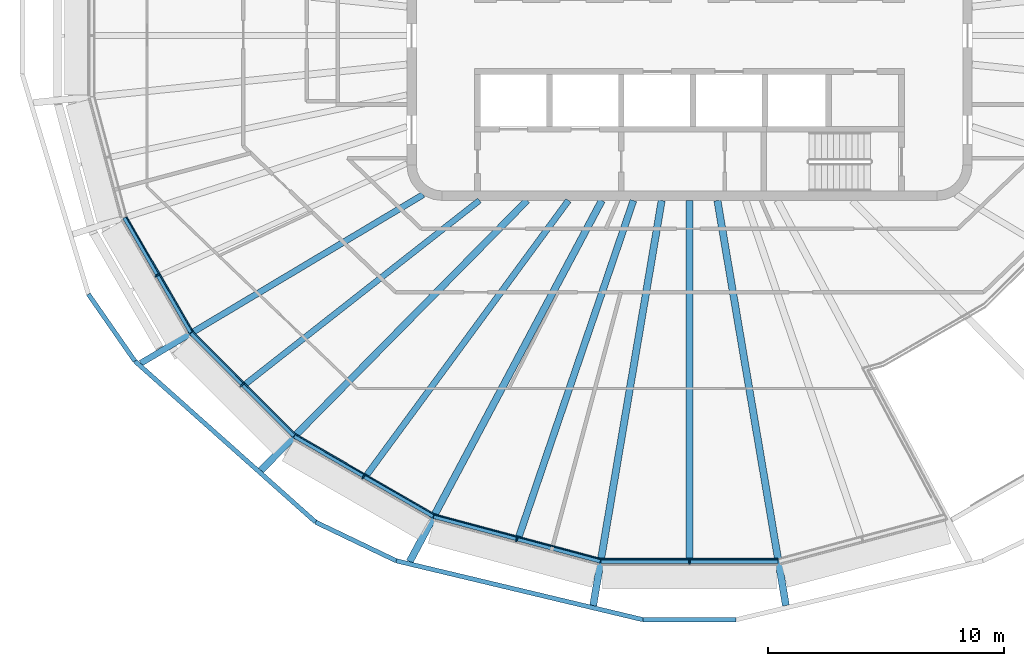
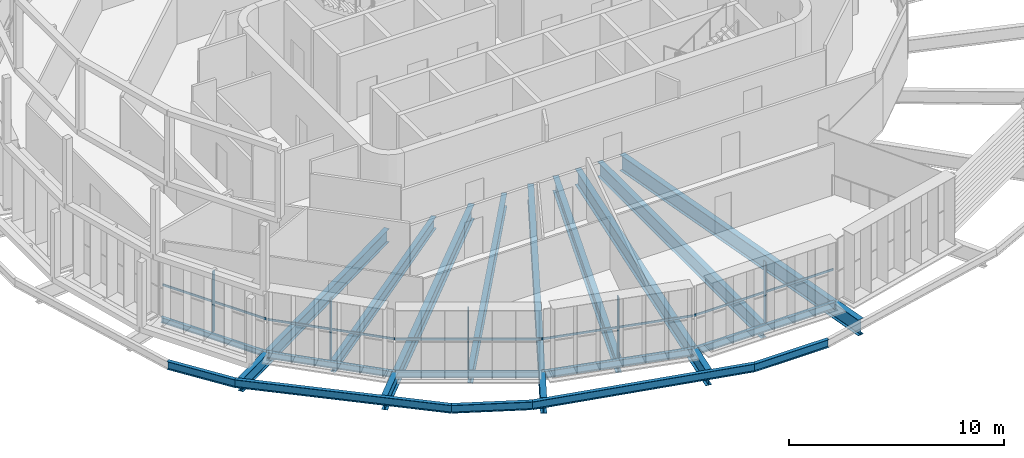
# One storey, part 1 of 18: 19 beams, 10 members, 5 elements without a shape of their own.
"""IFC4 building model written with IfcOpenShell, lengths in metres."""

import ifcopenshell
import ifcopenshell.guid

model = None  # the IFC model being written
_history = None  # IfcOwnerHistory: only IFC2X3 demands one
_inside = {}  # id of a spatial element -> (the spatial element, [elements in it])
_under = {}  # id of a project, library or spatial element -> (it, [spatial elements below it])
_declared = {}  # id of a project -> (the project, [libraries it declares])
_typed = {}  # id of a type object -> (the type object, [elements of that type])
_made_of = {}  # id of a material, layer set ... -> (it, [elements and type objects made of it])


def new_model(schema):
    """Start an empty IFC model of exactly this schema.

    Asked for "IFC4X3", IfcOpenShell would pick the latest addendum, in which some entities
    have other attributes; the version numbers below select the first issue.
    IFC2X3 requires an IfcOwnerHistory on every rooted entity: one is made here for all.
    """
    global model, _history
    if schema == "IFC4X3":
        model = ifcopenshell.file(schema_version=(4, 3, 0, 0))
    else:
        model = ifcopenshell.file(schema=schema)
    _inside.clear()
    _under.clear()
    _declared.clear()
    _typed.clear()
    _made_of.clear()
    _history = None
    if model.schema == "IFC2X3":
        org = make("IfcOrganization", Name="unknown")
        user = make(
            "IfcPersonAndOrganization",
            ThePerson=make("IfcPerson", FamilyName="unknown"),
            TheOrganization=org,
        )
        app = make(
            "IfcApplication",
            ApplicationDeveloper=org,
            Version="unknown",
            ApplicationFullName="unknown",
            ApplicationIdentifier="unknown",
        )
        _history = make(
            "IfcOwnerHistory",
            OwningUser=user,
            OwningApplication=app,
            ChangeAction="ADDED",
            CreationDate=0,
        )
    return model


def make(cls, **values):
    """One entity of the class cls with the attributes given. An attribute that is None is left unset."""
    return model.create_entity(
        cls, **{name: value for name, value in values.items() if value is not None}
    )


def rooted(cls, **values):
    """An entity with a GlobalId (a new one), such as an element, a storey or a relation."""
    return make(cls, GlobalId=ifcopenshell.guid.new(), OwnerHistory=_history, **values)


def si_unit(unit_type, name, prefix=None):
    """IfcSIUnit, for example si_unit("LENGTHUNIT", "METRE", prefix="MILLI")."""
    return make("IfcSIUnit", UnitType=unit_type, Prefix=prefix, Name=name)


def assignment(units):
    """IfcUnitAssignment: the units of a project."""
    return None if units is None else make("IfcUnitAssignment", Units=units)


def point(xyz):
    """IfcCartesianPoint."""
    return None if xyz is None else make("IfcCartesianPoint", Coordinates=xyz)


def direction(xyz):
    """IfcDirection."""
    return None if xyz is None else make("IfcDirection", DirectionRatios=xyz)


def frame(location, z_axis=None, x_axis=None):
    """IfcAxis2Placement3D, a coordinate frame: its origin and axes. An axis left out is left unset."""
    return make(
        "IfcAxis2Placement3D",
        Location=point(location),
        Axis=direction(z_axis),
        RefDirection=direction(x_axis),
    )


def frame_2d(location, x_axis=None):
    """IfcAxis2Placement2D, a coordinate frame in the plane: its origin and x axis."""
    return make(
        "IfcAxis2Placement2D", Location=point(location), RefDirection=direction(x_axis)
    )


def origin():
    """The frame at (0, 0, 0) with its axes left unset."""
    return frame((0.0, 0.0, 0.0))


def origin_2d():
    """The frame at (0, 0) in the plane with its x axis left unset."""
    return frame_2d((0.0, 0.0))


def place(relative_to, where):
    """IfcLocalPlacement: puts the frame where relative to a parent placement (None: the world)."""
    return make(
        "IfcLocalPlacement", PlacementRelTo=relative_to, RelativePlacement=where
    )


def context(
    kind, dimensions, precision=None, world=None, true_north=None, identifier=None
):
    """IfcGeometricRepresentationContext, for example the 3D "Model" context."""
    return make(
        "IfcGeometricRepresentationContext",
        ContextIdentifier=identifier,
        ContextType=kind,
        CoordinateSpaceDimension=dimensions,
        Precision=precision,
        WorldCoordinateSystem=world,
        TrueNorth=true_north,
    )


def subcontext(parent, identifier, kind, view, scale=None):
    """IfcGeometricRepresentationSubContext, for example "Body" below "Model"."""
    return make(
        "IfcGeometricRepresentationSubContext",
        ContextIdentifier=identifier,
        ContextType=kind,
        ParentContext=parent,
        TargetScale=scale,
        TargetView=view,
    )


def project(units=None, contexts=None):
    """IfcProject with its units and contexts."""
    return rooted(
        "IfcProject",
        Name="project",
        RepresentationContexts=contexts,
        UnitsInContext=assignment(units),
    )


def spatial(cls, under=None, at=None, **own):
    """A site, building, storey or space (cls), placed at a placement, below another one or the project."""
    s = rooted(cls, ObjectPlacement=at, **own)
    if under is not None:
        _under.setdefault(under.id(), (under, []))[1].append(s)
    return s


def profile(cls, at=None, kind="AREA", **sizes):
    """A parametric profile (cls). Its sizes go by their IFC names, for example OverallWidth=200.0."""
    return make(cls, ProfileType=kind, Position=at, **sizes)


def rectangle(**sizes):
    """IfcRectangleProfileDef."""
    return profile("IfcRectangleProfileDef", **sizes)


def i_section(**sizes):
    """IfcIShapeProfileDef."""
    return profile("IfcIShapeProfileDef", **sizes)


def extrude(swept, where, along, depth):
    """IfcExtrudedAreaSolid: the profile swept, set in the frame where, extruded along a direction by depth."""
    return make(
        "IfcExtrudedAreaSolid",
        SweptArea=swept,
        Position=where,
        ExtrudedDirection=direction(along),
        Depth=depth,
    )


def shape(context_of_items, identifier, shape_type, items):
    """IfcShapeRepresentation: the items that make up one representation, for example the "Body"."""
    return make(
        "IfcShapeRepresentation",
        ContextOfItems=context_of_items,
        RepresentationIdentifier=identifier,
        RepresentationType=shape_type,
        Items=items,
    )


def material(Name=None, Category=None):
    """IfcMaterial."""
    return make("IfcMaterial", Name=Name, Category=Category)


def layer(
    of_material, thickness, ventilated=None, Name=None, Category=None, Priority=None
):
    """IfcMaterialLayer: one layer of a wall or slab, of a material (None: an air gap)."""
    return make(
        "IfcMaterialLayer",
        Material=of_material,
        LayerThickness=thickness,
        IsVentilated=ventilated,
        Name=Name,
        Category=Category,
        Priority=Priority,
    )


def layer_set(layers, Name=None):
    """IfcMaterialLayerSet."""
    return make("IfcMaterialLayerSet", MaterialLayers=layers, LayerSetName=Name)


def material_profile(
    of_material, cross_section, Name=None, Category=None, Priority=None
):
    """IfcMaterialProfile: a cross section and its material."""
    return make(
        "IfcMaterialProfile",
        Name=Name,
        Material=of_material,
        Profile=cross_section,
        Priority=Priority,
        Category=Category,
    )


def profile_set(profiles, Name=None, composite=None):
    """IfcMaterialProfileSet."""
    return make(
        "IfcMaterialProfileSet",
        Name=Name,
        MaterialProfiles=profiles,
        CompositeProfile=composite,
    )


def made_of(thing, what):
    """Note that an element or type object is made of a material, layer set ...; save() writes the relation."""
    if what is not None:
        _made_of.setdefault(what.id(), (what, []))[1].append(thing)
    return thing


def type_object(cls, material=None, **own):
    """A type object (cls), such as IfcWallType, which elements share."""
    return made_of(rooted(cls, **own), material)


def element(
    cls,
    number,
    at=None,
    inside=None,
    cuts=None,
    type_object=None,
    material=None,
    context=None,
    identifier="Body",
    shape_type=None,
    held_by="IfcProductDefinitionShape",
    body=None,
    shapes=None,
    **own,
):
    """One element of the class cls, such as IfcWall. Its Tag is "e" and its number.

    at: its placement. inside: the storey or other place that contains it. cuts: it is an
    opening in that element (IfcRelVoidsElement). A single representation is given by context,
    identifier, shape_type and body (its items); several are given by shapes. held_by: the class
    of the entity that holds the representations. save() writes the other relations.
    """
    e = rooted(cls, Tag="e%d" % number, ObjectPlacement=at, **own)
    if body is not None:
        shapes = [shape(context, identifier, shape_type, body)]
    if shapes is not None:
        e.Representation = make(held_by, Representations=shapes)
    if inside is not None:
        _inside.setdefault(inside.id(), (inside, []))[1].append(e)
    if cuts is not None:
        rooted(
            "IfcRelVoidsElement", RelatingBuildingElement=cuts, RelatedOpeningElement=e
        )
    if type_object is not None:
        _typed.setdefault(type_object.id(), (type_object, []))[1].append(e)
    return made_of(e, material)


def aggregate(whole, parts):
    """IfcRelAggregates: a whole, such as a stair, and the parts it consists of."""
    return rooted("IfcRelAggregates", RelatingObject=whole, RelatedObjects=parts)


def save(model, path):
    """Write the relations noted so far, then the file.

    IfcRelAggregates (storeys below a building ...), IfcRelContainedInSpatialStructure (elements
    in a storey), IfcRelDefinesByType, IfcRelAssociatesMaterial and IfcRelDeclares: one each for
    every whole, place, type object, material and project.
    """
    for whole, parts in _under.values():
        aggregate(whole, parts)
    for where, things in _inside.values():
        rooted(
            "IfcRelContainedInSpatialStructure",
            RelatedElements=things,
            RelatingStructure=where,
        )
    for kind, things in _typed.values():
        rooted("IfcRelDefinesByType", RelatedObjects=things, RelatingType=kind)
    for what, things in _made_of.values():
        rooted("IfcRelAssociatesMaterial", RelatedObjects=things, RelatingMaterial=what)
    for by, libraries in _declared.values():
        rooted("IfcRelDeclares", RelatingContext=by, RelatedDefinitions=libraries)
    model.write(path)


model = new_model("IFC4")

# Units and contexts
model_context = context("Model", 3, precision=1e-05, world=origin(), true_north=direction((0.0, 1.0)))
body_context = subcontext(model_context, "Body", "Model", "MODEL_VIEW")
ifc_project = project(units=[si_unit("LENGTHUNIT", "METRE"), si_unit("AREAUNIT", "SQUARE_METRE"), si_unit("VOLUMEUNIT", "CUBIC_METRE"), si_unit("PLANEANGLEUNIT", "RADIAN"), si_unit("MASSUNIT", "GRAM", prefix="KILO")], contexts=[model_context])

# Site, building, storey
site_placement = place(None, origin())
site = spatial("IfcSite", under=ifc_project, at=site_placement, CompositionType="ELEMENT")
building_placement = place(site_placement, origin())
building = spatial("IfcBuilding", under=site, at=building_placement, Name="Sahrelin Media Tower", CompositionType="ELEMENT")
storey_placement = place(building_placement, frame((0.0, 0.0, 312.39990234375)))
storey = spatial("IfcBuildingStorey", under=building, at=storey_placement, Name="L69", CompositionType="ELEMENT", Elevation=312.39990234375)

# Beams
ifc_material_1 = material(Name="Steel S355", Category="steel")
ifc_material_profile_1 = material_profile(ifc_material_1, i_section(OverallWidth=0.1650390625, OverallDepth=0.303466796875, WebThickness=0.006103515625, FlangeThickness=0.01025390625, FilletRadius=0.0087890625, at=origin_2d()), Name="UB 305x165x40")
ifc_profile_set_1 = profile_set([ifc_material_profile_1], Name="Steel S355")
beam_type_1 = type_object("IfcBeamType", Name="Edge beam EB2", PredefinedType="BEAM", material=ifc_profile_set_1)
beam_1_placement = place(storey_placement, frame((-21.172607421875, -12.604736328125, -0.301513671875), z_axis=(-0.500002884005, 0.866023738697, 0.0), x_axis=(-0.866023738697, -0.500002884005, 0.0)))
element("IfcBeam", 1, at=beam_1_placement, inside=storey, type_object=beam_type_1, Name="Edge beam L69-07", PredefinedType="BEAM", context=body_context, shape_type="SweptSolid", body=[
    extrude(i_section(OverallWidth=0.1650390625, OverallDepth=0.303466796875, WebThickness=0.006103515625, FlangeThickness=0.01025390625, FilletRadius=0.0087890625, at=origin_2d()), origin(), (0.0, 0.0, 1.0), 5.626953125),
])
ifc_material_profile_2 = material_profile(ifc_material_1, i_section(OverallWidth=0.17138671875, OverallDepth=0.35498046875, WebThickness=0.00732421875, FlangeThickness=0.011474609375, FilletRadius=0.01025390625, at=origin_2d()), Name="UB 356x171x51")
ifc_profile_set_2 = profile_set([ifc_material_profile_2], Name="Steel S355")
beam_type_2 = type_object("IfcBeamType", Name="Edge beam EB3", PredefinedType="BEAM", material=ifc_profile_set_2)
beam_2_placement = place(storey_placement, frame((-10.887451171875, -20.4033203125, -0.327392578125), z_axis=(-0.866012045084, 0.500023137234, 0.0), x_axis=(-0.500023137234, -0.866012045084, 0.0)))
element("IfcBeam", 2, at=beam_2_placement, inside=storey, type_object=beam_type_2, Name="Edge beam L69-05", PredefinedType="BEAM", context=body_context, shape_type="SweptSolid", body=[
    extrude(i_section(OverallWidth=0.17138671875, OverallDepth=0.35498046875, WebThickness=0.00732421875, FlangeThickness=0.011474609375, FilletRadius=0.01025390625, at=origin_2d()), origin(), (0.0, 0.0, 1.0), 6.794189453125),
])
beam_3_placement = place(storey_placement, frame((-16.794189453125, -16.98876953125, -0.327392578125), z_axis=(-0.707086987858, 0.707126573961, 0.0), x_axis=(-0.707126573961, -0.707086987858, 0.0)))
element("IfcBeam", 3, at=beam_3_placement, inside=storey, type_object=beam_type_2, Name="Edge beam L69-06", PredefinedType="BEAM", context=body_context, shape_type="SweptSolid", body=[
    extrude(i_section(OverallWidth=0.17138671875, OverallDepth=0.35498046875, WebThickness=0.00732421875, FlangeThickness=0.011474609375, FilletRadius=0.01025390625, at=origin_2d()), origin(), (0.0, 0.0, 1.0), 6.167236328125),
])
ifc_material_profile_3 = material_profile(ifc_material_1, i_section(OverallWidth=0.177978515625, OverallDepth=0.406494140625, WebThickness=0.0078125, FlangeThickness=0.0126953125, FilletRadius=0.01025390625, at=origin_2d()), Name="UB 406x178x60")
ifc_profile_set_3 = profile_set([ifc_material_profile_3], Name="Steel S355")
beam_type_3 = type_object("IfcBeamType", Name="Edge beam EB4", PredefinedType="BEAM", material=ifc_profile_set_3)
beam_4_placement = place(storey_placement, frame((3.76318359375, -22.31201171875, -0.35302734375), z_axis=(-1.0, 0.0, 0.0), x_axis=(0.0, -1.0, 0.0)))
element("IfcBeam", 4, at=beam_4_placement, inside=storey, type_object=beam_type_3, Name="Edge beam L69-03", PredefinedType="BEAM", context=body_context, shape_type="SweptSolid", body=[
    extrude(i_section(OverallWidth=0.177978515625, OverallDepth=0.406494140625, WebThickness=0.0078125, FlangeThickness=0.0126953125, FilletRadius=0.01025390625, at=origin_2d()), origin(), (0.0, 0.0, 1.0), 7.5263671875),
])
beam_5_placement = place(storey_placement, frame((-3.791748046875, -22.308349609375, -0.35302734375), z_axis=(-0.965929736492, 0.258804451587, 0.0), x_axis=(-0.258804451587, -0.965929736492, 0.0)))
element("IfcBeam", 5, at=beam_5_placement, inside=storey, type_object=beam_type_3, Name="Edge beam L69-04", PredefinedType="BEAM", context=body_context, shape_type="SweptSolid", body=[
    extrude(i_section(OverallWidth=0.177978515625, OverallDepth=0.406494140625, WebThickness=0.0078125, FlangeThickness=0.0126953125, FilletRadius=0.01025390625, at=origin_2d()), origin(), (0.0, 0.0, 1.0), 7.318359375),
])

# Curtain wall, member
ifc_material_2 = material(Name="Champagne anodised aluminium 6063-T6", Category="aluminium")
ifc_layer = layer(ifc_material_2, 0.14990234375)
ifc_layer_set = layer_set([ifc_layer], Name="Tower ribbon curtain wall")
curtain_wall_type = type_object("IfcCurtainWallType", Name="Tower ribbon curtain wall", PredefinedType="NOTDEFINED", material=ifc_layer_set)
curtain_wall_1_placement = place(storey_placement, frame((-22.709228515625, -10.2431640625, 0.0), z_axis=(0.0, 0.0, 1.0), x_axis=(1.0, 0.0, 0.0)))
curtain_wall_1 = element("IfcCurtainWall", 6, at=curtain_wall_1_placement, inside=storey, type_object=curtain_wall_type, Name="L69:CW:L69-14", PredefinedType="NOTDEFINED")
ifc_material_profile_4 = material_profile(ifc_material_2, rectangle(XDim=0.06005859375, YDim=0.199951171875, at=origin_2d()), Name="Mullion 60x200")
ifc_profile_set_4 = profile_set([ifc_material_profile_4], Name="Champagne anodised aluminium 6063-T6")
member_type_1 = type_object("IfcMemberType", Name="Mullion 60x200 CW1C", PredefinedType="MULLION", material=ifc_profile_set_4)
member_1_placement = place(storey_placement, frame((-22.605224609375, -10.18310546875, 0.0), z_axis=(0.0, 0.0, 1.0), x_axis=(0.500003022996, -0.86602365845, 0.0)))
member_1 = element("IfcMember", 7, at=member_1_placement, type_object=member_type_1, Name="L69:CWM:L69-14", PredefinedType="MULLION", context=body_context, shape_type="SweptSolid", body=[
    extrude(rectangle(XDim=0.06005859375, YDim=0.199951171875, at=origin_2d()), origin(), (0.0, 0.0, 1.0), 3.44873046875),
])

curtain_wall_2_placement = place(storey_placement, frame((-19.08056640625, -14.914306640625, 0.0), z_axis=(0.0, 0.0, 1.0), x_axis=(1.0, 0.0, 0.0)))
curtain_wall_2 = element("IfcCurtainWall", 8, at=curtain_wall_2_placement, inside=storey, type_object=curtain_wall_type, Name="L69:CW:L69-15", PredefinedType="NOTDEFINED")
member_2_placement = place(storey_placement, frame((-18.99560546875, -14.829345703125, 0.0), z_axis=(0.0, 0.0, 1.0), x_axis=(0.707099376343, -0.707114185953, 0.0)))
member_2 = element("IfcMember", 9, at=member_2_placement, type_object=member_type_1, Name="L69:CWM:L69-15", PredefinedType="MULLION", context=body_context, shape_type="SweptSolid", body=[
    extrude(rectangle(XDim=0.06005859375, YDim=0.199951171875, at=origin_2d()), origin(), (0.0, 0.0, 1.0), 3.44873046875),
])

curtain_wall_3_placement = place(storey_placement, frame((-13.904296875, -18.834716796875, 0.0), z_axis=(0.0, 0.0, 1.0), x_axis=(1.0, 0.0, 0.0)))
curtain_wall_3 = element("IfcCurtainWall", 10, at=curtain_wall_3_placement, inside=storey, type_object=curtain_wall_type, Name="L69:CW:L69-16", PredefinedType="NOTDEFINED")
member_3_placement = place(storey_placement, frame((-13.844482421875, -18.730712890625, 0.0), z_axis=(0.0, 0.0, 1.0), x_axis=(0.866028894422, -0.49999395399, 0.0)))
member_3 = element("IfcMember", 11, at=member_3_placement, type_object=member_type_1, Name="L69:CWM:L69-16", PredefinedType="MULLION", context=body_context, shape_type="SweptSolid", body=[
    extrude(rectangle(XDim=0.06005859375, YDim=0.199951171875, at=origin_2d()), origin(), (0.0, 0.0, 1.0), 3.44873046875),
])

curtain_wall_4_placement = place(storey_placement, frame((-7.365234375, -21.506103515625, 0.0), z_axis=(0.0, 0.0, 1.0), x_axis=(1.0, 0.0, 0.0)))
curtain_wall_4 = element("IfcCurtainWall", 12, at=curtain_wall_4_placement, inside=storey, type_object=curtain_wall_type, Name="L69:CW:L69-17", PredefinedType="NOTDEFINED")
member_4_placement = place(storey_placement, frame((-7.333984375, -21.39013671875, 0.0), z_axis=(0.0, 0.0, 1.0), x_axis=(0.965925826289, -0.258819045103, 0.0)))
member_4 = element("IfcMember", 13, at=member_4_placement, type_object=member_type_1, Name="L69:CWM:L69-17", PredefinedType="MULLION", context=body_context, shape_type="SweptSolid", body=[
    extrude(rectangle(XDim=0.06005859375, YDim=0.199951171875, at=origin_2d()), origin(), (0.0, 0.0, 1.0), 3.44873046875),
])

curtain_wall_5_placement = place(storey_placement, frame((0.0, -22.462158203125, 0.0), z_axis=(0.0, 0.0, 1.0), x_axis=(1.0, 0.0, 0.0)))
curtain_wall_5 = element("IfcCurtainWall", 14, at=curtain_wall_5_placement, inside=storey, type_object=curtain_wall_type, Name="L69:CW:L69-18", PredefinedType="NOTDEFINED")
member_5_placement = place(storey_placement, frame((0.0, -22.342041015625, 0.0), z_axis=(0.0, 0.0, 1.0), x_axis=(1.0, 0.0, 0.0)))
member_5 = element("IfcMember", 15, at=member_5_placement, type_object=member_type_1, Name="L69:CWM:L69-18", PredefinedType="MULLION", context=body_context, shape_type="SweptSolid", body=[
    extrude(rectangle(XDim=0.06005859375, YDim=0.199951171875, at=origin_2d()), origin(), (0.0, 0.0, 1.0), 3.44873046875),
])

# Beams
ifc_material_profile_5 = material_profile(ifc_material_1, i_section(OverallWidth=0.291748046875, OverallDepth=0.8349609375, WebThickness=0.013916015625, FlangeThickness=0.018798828125, FilletRadius=0.017822265625, at=origin_2d()), Name="UB 838x292x176")
ifc_profile_set_5 = profile_set([ifc_material_profile_5], Name="Steel S355")
beam_type_4 = type_object("IfcBeamType", Name="Radial primary beam PB10", PredefinedType="BEAM", material=ifc_profile_set_5)
beam_6_placement = place(storey_placement, frame((-6.900634765625, -7.0, -0.5673828125), z_axis=(-0.702027793691, -0.712149546715, 0.0), x_axis=(0.712149546715, -0.702027793691, 0.0)))
element("IfcBeam", 16, at=beam_6_placement, inside=storey, type_object=beam_type_4, Name="Radial beam L69-16", PredefinedType="BEAM", context=body_context, shape_type="SweptSolid", body=[
    extrude(i_section(OverallWidth=0.291748046875, OverallDepth=0.8349609375, WebThickness=0.013916015625, FlangeThickness=0.018798828125, FilletRadius=0.017822265625, at=origin_2d()), origin(), (0.0, 0.0, 1.0), 16.08837890625),
])
ifc_material_profile_6 = material_profile(ifc_material_1, i_section(OverallWidth=0.30322265625, OverallDepth=0.903076171875, WebThickness=0.01513671875, FlangeThickness=0.020263671875, FilletRadius=0.01904296875, at=origin_2d()), Name="UB 914x305x201")
ifc_profile_set_6 = profile_set([ifc_material_profile_6], Name="Steel S355")
beam_type_5 = type_object("IfcBeamType", Name="Radial primary beam PB11", PredefinedType="BEAM", material=ifc_profile_set_6)
beam_7_placement = place(storey_placement, frame((-3.72412109375, -7.0, -0.601318359375), z_axis=(-0.469669389821, -0.882842377928, 0.0), x_axis=(0.882842377928, -0.469669389821, 0.0)))
element("IfcBeam", 17, at=beam_7_placement, inside=storey, type_object=beam_type_5, Name="Radial beam L69-17", PredefinedType="BEAM", context=body_context, shape_type="SweptSolid", body=[
    extrude(i_section(OverallWidth=0.30322265625, OverallDepth=0.903076171875, WebThickness=0.01513671875, FlangeThickness=0.020263671875, FilletRadius=0.01904296875, at=origin_2d()), origin(), (0.0, 0.0, 1.0), 17.367431640625),
])
for number, where, z_axis, x_axis, name in (
    (18, (-1.183349609375, -7.0, -0.601318359375), (-0.166700825937, -0.986007522604, 0.0), (0.986007522604, -0.166700825937, 0.0), "Radial beam L69-18"),
    (19, (1.183349609375, -7.0, -0.601318359375), (0.166700825937, -0.986007522604, 0.0), (0.986007522604, 0.166700825937, 0.0), "Radial beam L69-19"),
):
    element("IfcBeam", number, at=place(storey_placement, frame(where, z_axis=z_axis, x_axis=x_axis)), inside=storey, type_object=beam_type_5, Name=name, PredefinedType="BEAM", context=body_context, shape_type="SweptSolid", body=[
        extrude(i_section(OverallWidth=0.30322265625, OverallDepth=0.903076171875, WebThickness=0.01513671875, FlangeThickness=0.020263671875, FilletRadius=0.01904296875, at=origin_2d()), origin(), (0.0, 0.0, 1.0), 17.436767578125),
    ])
ifc_material_profile_7 = material_profile(ifc_material_1, i_section(OverallWidth=0.26513671875, OverallDepth=0.75390625, WebThickness=0.0126953125, FlangeThickness=0.017578125, FilletRadius=0.0166015625, at=origin_2d()), Name="UB 762x267x147")
ifc_profile_set_7 = profile_set([ifc_material_profile_7], Name="Steel S355")
beam_type_6 = type_object("IfcBeamType", Name="Radial primary beam PB9", PredefinedType="BEAM", material=ifc_profile_set_7)
beam_8_placement = place(storey_placement, frame((-11.309814453125, -6.753173828125, -0.52685546875), z_axis=(-0.858595650367, -0.512653400624, 0.0), x_axis=(0.512653400624, -0.858595650367, 0.0)))
element("IfcBeam", 20, at=beam_8_placement, inside=storey, type_object=beam_type_6, Name="Radial beam L69-15", PredefinedType="BEAM", context=body_context, shape_type="SweptSolid", body=[
    extrude(i_section(OverallWidth=0.26513671875, OverallDepth=0.75390625, WebThickness=0.0126953125, FlangeThickness=0.017578125, FilletRadius=0.0166015625, at=origin_2d()), origin(), (0.0, 0.0, 1.0), 13.962158203125),
])
ifc_material_profile_8 = material_profile(ifc_material_1, i_section(OverallWidth=0.291748046875, OverallDepth=0.8349609375, WebThickness=0.013916015625, FlangeThickness=0.018798828125, FilletRadius=0.017822265625, at=origin_2d()), Name="UB 838x292x176")
ifc_profile_set_8 = profile_set([ifc_material_profile_8], Name="Steel S355")
beam_type_7 = type_object("IfcBeamType", Name="Radial secondary beam SB10", PredefinedType="BEAM", material=ifc_profile_set_8)
beam_9_placement = place(storey_placement, frame((-2.383544921875, -7.0, -0.5673828125), z_axis=(-0.322344281153, -0.946622503645, 0.0), x_axis=(0.946622503645, -0.322344281153, 0.0)))
element("IfcBeam", 21, at=beam_9_placement, inside=storey, type_object=beam_type_7, Name="Secondary beam L69-17", PredefinedType="BEAM", context=body_context, shape_type="SweptSolid", body=[
    extrude(i_section(OverallWidth=0.291748046875, OverallDepth=0.8349609375, WebThickness=0.013916015625, FlangeThickness=0.018798828125, FilletRadius=0.017822265625, at=origin_2d()), origin(), (0.0, 0.0, 1.0), 15.095458984375),
])
beam_10_placement = place(storey_placement, frame((0.0, -7.0, -0.5673828125), z_axis=(0.0, -1.0, 0.0), x_axis=(1.0, 0.0, 0.0)))
element("IfcBeam", 22, at=beam_10_placement, inside=storey, type_object=beam_type_7, Name="Secondary beam L69-18", PredefinedType="BEAM", context=body_context, shape_type="SweptSolid", body=[
    extrude(i_section(OverallWidth=0.291748046875, OverallDepth=0.8349609375, WebThickness=0.013916015625, FlangeThickness=0.018798828125, FilletRadius=0.017822265625, at=origin_2d()), origin(), (0.0, 0.0, 1.0), 15.22314453125),
])
ifc_material_profile_9 = material_profile(ifc_material_1, i_section(OverallWidth=0.2529296875, OverallDepth=0.677978515625, WebThickness=0.01171875, FlangeThickness=0.01611328125, FilletRadius=0.01513671875, at=origin_2d()), Name="UB 686x254x125")
ifc_profile_set_9 = profile_set([ifc_material_profile_9], Name="Steel S355")
beam_type_8 = type_object("IfcBeamType", Name="Radial secondary beam SB8", PredefinedType="BEAM", material=ifc_profile_set_9)
beam_11_placement = place(storey_placement, frame((-8.919189453125, -7.0, -0.489013671875), z_axis=(-0.786664822555, -0.61738031792, 0.0), x_axis=(0.61738031792, -0.786664822555, 0.0)))
element("IfcBeam", 23, at=beam_11_placement, inside=storey, type_object=beam_type_8, Name="Secondary beam L69-15", PredefinedType="BEAM", context=body_context, shape_type="SweptSolid", body=[
    extrude(i_section(OverallWidth=0.2529296875, OverallDepth=0.677978515625, WebThickness=0.01171875, FlangeThickness=0.01611328125, FilletRadius=0.01513671875, at=origin_2d()), origin(), (0.0, 0.0, 1.0), 12.636474609375),
])
ifc_material_profile_10 = material_profile(ifc_material_1, i_section(OverallWidth=0.26513671875, OverallDepth=0.75390625, WebThickness=0.0126953125, FlangeThickness=0.017578125, FilletRadius=0.0166015625, at=origin_2d()), Name="UB 762x267x147")
ifc_profile_set_10 = profile_set([ifc_material_profile_10], Name="Steel S355")
beam_type_9 = type_object("IfcBeamType", Name="Radial secondary beam SB9", PredefinedType="BEAM", material=ifc_profile_set_10)
beam_12_placement = place(storey_placement, frame((-5.142333984375, -7.0, -0.52685546875), z_axis=(-0.592032191821, -0.80591431545, 0.0), x_axis=(0.80591431545, -0.592032191821, 0.0)))
element("IfcBeam", 24, at=beam_12_placement, inside=storey, type_object=beam_type_9, Name="Secondary beam L69-16", PredefinedType="BEAM", context=body_context, shape_type="SweptSolid", body=[
    extrude(i_section(OverallWidth=0.26513671875, OverallDepth=0.75390625, WebThickness=0.0126953125, FlangeThickness=0.017578125, FilletRadius=0.0166015625, at=origin_2d()), origin(), (0.0, 0.0, 1.0), 14.48193359375),
])
ifc_material_profile_11 = material_profile(ifc_material_1, i_section(OverallWidth=0.1904296875, OverallDepth=0.45703125, WebThickness=0.009033203125, FlangeThickness=0.014404296875, FilletRadius=0.01025390625, at=origin_2d()), Name="UB 457x191x74")
ifc_profile_set_11 = profile_set([ifc_material_profile_11], Name="Steel S355")
beam_type_10 = type_object("IfcBeamType", Name="Tie chord TC5", PredefinedType="BEAM", material=ifc_profile_set_11)
beam_13_placement = place(storey_placement, frame((-25.51806640625, -10.97900390625, -0.37841796875), z_axis=(0.570604943909, -0.82122469397, 0.0), x_axis=(0.82122469397, 0.570604943909, 0.0)))
element("IfcBeam", 25, at=beam_13_placement, inside=storey, type_object=beam_type_10, Name="Tie chord L69-14", PredefinedType="BEAM", context=body_context, shape_type="SweptSolid", body=[
    extrude(i_section(OverallWidth=0.1904296875, OverallDepth=0.45703125, WebThickness=0.009033203125, FlangeThickness=0.014404296875, FilletRadius=0.01025390625, at=origin_2d()), origin(), (0.0, 0.0, 1.0), 3.456298828125),
])
beam_14_placement = place(storey_placement, frame((-23.5458984375, -13.8173828125, -0.37841796875), z_axis=(0.746646114938, -0.665221451134, 0.0), x_axis=(0.665221451134, 0.746646114938, 0.0)))
element("IfcBeam", 26, at=beam_14_placement, inside=storey, type_object=beam_type_10, Name="Tie chord L69-15", PredefinedType="BEAM", context=body_context, shape_type="SweptSolid", body=[
    extrude(i_section(OverallWidth=0.1904296875, OverallDepth=0.45703125, WebThickness=0.009033203125, FlangeThickness=0.014404296875, FilletRadius=0.01025390625, at=origin_2d()), origin(), (0.0, 0.0, 1.0), 10.2783203125),
])
beam_15_placement = place(storey_placement, frame((-15.87158203125, -20.65478515625, -0.37841796875), z_axis=(0.901627608015, -0.432513186464, 0.0), x_axis=(0.432513186464, 0.901627608015, 0.0)))
element("IfcBeam", 27, at=beam_15_placement, inside=storey, type_object=beam_type_10, Name="Tie chord L69-16", PredefinedType="BEAM", context=body_context, shape_type="SweptSolid", body=[
    extrude(i_section(OverallWidth=0.1904296875, OverallDepth=0.45703125, WebThickness=0.009033203125, FlangeThickness=0.014404296875, FilletRadius=0.01025390625, at=origin_2d()), origin(), (0.0, 0.0, 1.0), 3.788818359375),
])
beam_16_placement = place(storey_placement, frame((-12.45556640625, -22.29345703125, -0.37841796875), z_axis=(0.972662145221, -0.232224786046, 0.0), x_axis=(0.232224786046, 0.972662145221, 0.0)))
element("IfcBeam", 28, at=beam_16_placement, inside=storey, type_object=beam_type_10, Name="Tie chord L69-17", PredefinedType="BEAM", context=body_context, shape_type="SweptSolid", body=[
    extrude(i_section(OverallWidth=0.1904296875, OverallDepth=0.45703125, WebThickness=0.009033203125, FlangeThickness=0.014404296875, FilletRadius=0.01025390625, at=origin_2d()), origin(), (0.0, 0.0, 1.0), 10.778076171875),
])
beam_17_placement = place(storey_placement, frame((-1.97216796875, -24.79638671875, -0.37841796875), z_axis=(1.0, 0.0, 0.0), x_axis=(0.0, 1.0, 0.0)))
element("IfcBeam", 29, at=beam_17_placement, inside=storey, type_object=beam_type_10, Name="Tie chord L69-18", PredefinedType="BEAM", context=body_context, shape_type="SweptSolid", body=[
    extrude(i_section(OverallWidth=0.1904296875, OverallDepth=0.45703125, WebThickness=0.009033203125, FlangeThickness=0.014404296875, FilletRadius=0.01025390625, at=origin_2d()), origin(), (0.0, 0.0, 1.0), 3.9443359375),
])

# Member
ifc_material_profile_12 = material_profile(ifc_material_2, rectangle(XDim=0.050048828125, YDim=0.1201171875, at=origin_2d()), Name="Transom 50x120")
ifc_profile_set_12 = profile_set([ifc_material_profile_12], Name="Champagne anodised aluminium 6063-T6")
member_type_2 = type_object("IfcMemberType", Name="Transom 50x120 CW1C", PredefinedType="USERDEFINED", material=ifc_profile_set_12)
member_6_placement = place(storey_placement, frame((-23.89599609375, -7.69775390625, 1.60009765625), z_axis=(0.500005710357, -0.866022106883, 0.0), x_axis=(0.866022106883, 0.500005710357, 0.0)))
member_6 = element("IfcMember", 30, at=member_6_placement, type_object=member_type_2, Name="L69:CWT:L69-14", ObjectType="TRANSOM", PredefinedType="USERDEFINED", context=body_context, shape_type="SweptSolid", body=[
    extrude(rectangle(XDim=0.050048828125, YDim=0.1201171875, at=origin_2d()), origin(), (0.0, 0.0, 1.0), 5.595703125),
])

aggregate(curtain_wall_1, [member_1, member_6])

member_7_placement = place(storey_placement, frame((-21.07666015625, -12.571533203125, 1.60009765625), z_axis=(0.707086886503, -0.70712667531, 0.0), x_axis=(0.70712667531, 0.707086886503, 0.0)))
member_7 = element("IfcMember", 31, at=member_7_placement, type_object=member_type_2, Name="L69:CWT:L69-15", ObjectType="TRANSOM", PredefinedType="USERDEFINED", context=body_context, shape_type="SweptSolid", body=[
    extrude(rectangle(XDim=0.050048828125, YDim=0.1201171875, at=origin_2d()), origin(), (0.0, 0.0, 1.0), 6.135986328125),
])

aggregate(curtain_wall_2, [member_2, member_7])

member_8_placement = place(storey_placement, frame((-16.710205078125, -16.931884765625, 1.60009765625), z_axis=(0.866041905059, -0.499971417865, 0.0), x_axis=(0.499971417865, 0.866041905059, 0.0)))
member_8 = element("IfcMember", 32, at=member_8_placement, type_object=member_type_2, Name="L69:CWT:L69-16", ObjectType="TRANSOM", PredefinedType="USERDEFINED", context=body_context, shape_type="SweptSolid", body=[
    extrude(rectangle(XDim=0.050048828125, YDim=0.1201171875, at=origin_2d()), origin(), (0.0, 0.0, 1.0), 6.7626953125),
])

aggregate(curtain_wall_3, [member_3, member_8])

member_9_placement = place(storey_placement, frame((-10.821044921875, -20.326416015625, 1.60009765625), z_axis=(0.965925618712, -0.25881981979, 0.0), x_axis=(0.25881981979, 0.965925618712, 0.0)))
member_9 = element("IfcMember", 33, at=member_9_placement, type_object=member_type_2, Name="L69:CWT:L69-17", ObjectType="TRANSOM", PredefinedType="USERDEFINED", context=body_context, shape_type="SweptSolid", body=[
    extrude(rectangle(XDim=0.050048828125, YDim=0.1201171875, at=origin_2d()), origin(), (0.0, 0.0, 1.0), 7.286865234375),
])

aggregate(curtain_wall_4, [member_4, member_9])

member_10_placement = place(storey_placement, frame((-3.74755859375, -22.217041015625, 1.60009765625), z_axis=(1.0, 0.0, 0.0), x_axis=(0.0, 1.0, 0.0)))
member_10 = element("IfcMember", 34, at=member_10_placement, type_object=member_type_2, Name="L69:CWT:L69-18", ObjectType="TRANSOM", PredefinedType="USERDEFINED", context=body_context, shape_type="SweptSolid", body=[
    extrude(rectangle(XDim=0.050048828125, YDim=0.1201171875, at=origin_2d()), origin(), (0.0, 0.0, 1.0), 7.4951171875),
])

aggregate(curtain_wall_5, [member_5, member_10])

save(model, "model.ifc")
